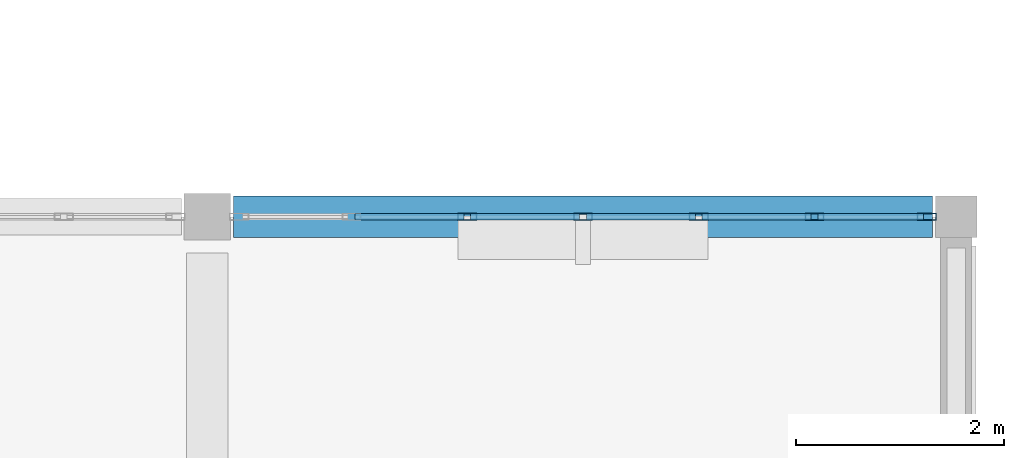
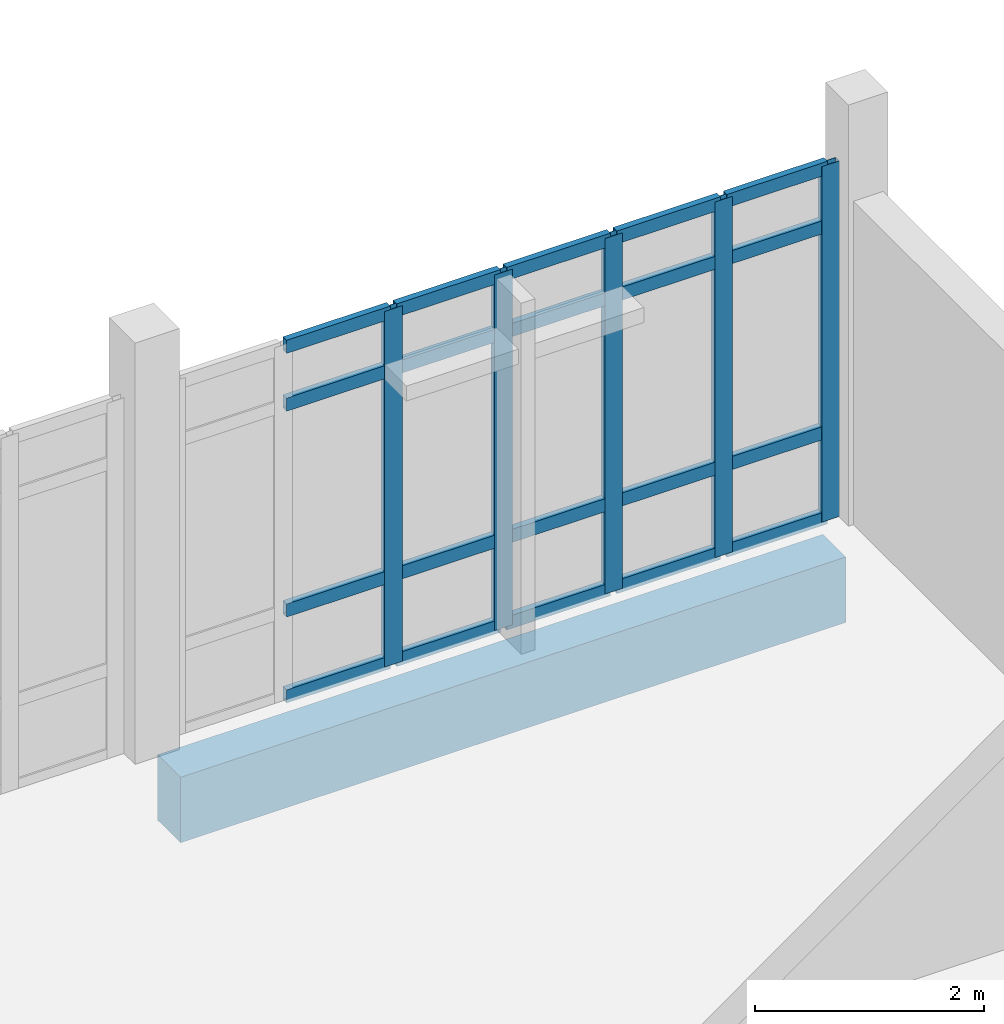
# One storey, part 53 of 116: 25 members, 1 beam, 1 element without a shape of its own.
"""IFC4 building model written with IfcOpenShell, lengths in metres."""

from ifc_helpers import new_model, si_unit, direction, frame, origin, origin_2d, place, context, subcontext, project, spatial, rectangle, hollow_rectangle, extrude, material, material_profile, profile_set, type_object, element, aggregate, save


model = new_model("IFC4")

# Units and contexts
model_context = context("Model", 3, precision=1e-05, world=origin(), true_north=direction((0.0, 1.0)))
body_context = subcontext(model_context, "Body", "Model", "MODEL_VIEW")
ifc_project = project(units=[si_unit("LENGTHUNIT", "METRE"), si_unit("AREAUNIT", "SQUARE_METRE"), si_unit("VOLUMEUNIT", "CUBIC_METRE"), si_unit("PLANEANGLEUNIT", "RADIAN"), si_unit("MASSUNIT", "GRAM", prefix="KILO")], contexts=[model_context])

# Site, building, storey
site_placement = place(None, origin())
site = spatial("IfcSite", under=ifc_project, at=site_placement, CompositionType="ELEMENT")
building_placement = place(site_placement, origin())
building = spatial("IfcBuilding", under=site, at=building_placement, Name="Kalluvel Institute of Natural Sciences", CompositionType="ELEMENT")
storey_placement = place(building_placement, frame((0.0, 0.0, 14.39990234375)))
storey = spatial("IfcBuildingStorey", under=building, at=storey_placement, Name="L03", CompositionType="ELEMENT", Elevation=14.39990234375)

# Curtain wall, members
ifc_material_1 = material(Name="Aluminium AW-6063 T6", Category="aluminium")
curtain_wall_type = type_object("IfcCurtainWallType", Name="CW-SPAV-45", PredefinedType="USERDEFINED", material=ifc_material_1)
curtain_wall_placement = place(storey_placement, origin())
curtain_wall = element("IfcCurtainWall", 1, at=curtain_wall_placement, inside=storey, type_object=curtain_wall_type, Name="L03 Gothic lancet curtain wall CWA-L03-X1079-Y356", ObjectType="UNITISED LANCET FACADE", PredefinedType="USERDEFINED")
ifc_material_profile_1 = material_profile(ifc_material_1, hollow_rectangle(XDim=0.06494140625, YDim=0.179931640625, WallThickness=0.00439453125, at=origin_2d()), Name="CWM 65x180")
ifc_profile_set_1 = profile_set([ifc_material_profile_1], Name="Aluminium AW-6063 T6")
member_type_1 = type_object("IfcMemberType", Name="CWM-65x180", PredefinedType="MULLION", material=ifc_profile_set_1)
member_1_placement = place(storey_placement, frame((110.10009765625, 35.60009765625, 0.0), z_axis=(0.0, 0.0, 1.0), x_axis=(0.0, 1.0, 0.0)))
member_1 = element("IfcMember", 2, at=member_1_placement, type_object=member_type_1, Name="CW-10 mullion 3", PredefinedType="MULLION", context=body_context, shape_type="SweptSolid", body=[
    extrude(hollow_rectangle(XDim=0.06494140625, YDim=0.179931640625, WallThickness=0.00439453125, at=origin_2d()), origin(), (0.0, 0.0, 1.0), 3.800048828125),
])
member_2_placement = place(storey_placement, frame((111.21240234375, 35.60009765625, 0.0), z_axis=(0.0, 0.0, 1.0), x_axis=(0.0, 1.0, 0.0)))
member_2 = element("IfcMember", 3, at=member_2_placement, type_object=member_type_1, Name="CW-10 mullion 4", PredefinedType="MULLION", context=body_context, shape_type="SweptSolid", body=[
    extrude(hollow_rectangle(XDim=0.06494140625, YDim=0.179931640625, WallThickness=0.00439453125, at=origin_2d()), origin(), (0.0, 0.0, 1.0), 3.800048828125),
])
member_3_placement = place(storey_placement, frame((112.324951171875, 35.60009765625, 0.0), z_axis=(0.0, 0.0, 1.0), x_axis=(0.0, 1.0, 0.0)))
member_3 = element("IfcMember", 4, at=member_3_placement, type_object=member_type_1, Name="CW-10 mullion 5", PredefinedType="MULLION", context=body_context, shape_type="SweptSolid", body=[
    extrude(hollow_rectangle(XDim=0.06494140625, YDim=0.179931640625, WallThickness=0.00439453125, at=origin_2d()), origin(), (0.0, 0.0, 1.0), 3.800048828125),
])
member_4_placement = place(storey_placement, frame((113.4375, 35.60009765625, 0.0), z_axis=(0.0, 0.0, 1.0), x_axis=(0.0, 1.0, 0.0)))
member_4 = element("IfcMember", 5, at=member_4_placement, type_object=member_type_1, Name="CW-10 mullion 6", PredefinedType="MULLION", context=body_context, shape_type="SweptSolid", body=[
    extrude(hollow_rectangle(XDim=0.06494140625, YDim=0.179931640625, WallThickness=0.00439453125, at=origin_2d()), origin(), (0.0, 0.0, 1.0), 3.800048828125),
])
member_5_placement = place(storey_placement, frame((114.517578125, 35.60009765625, 0.0), z_axis=(0.0, 0.0, 1.0), x_axis=(0.0, 1.0, 0.0)))
member_5 = element("IfcMember", 6, at=member_5_placement, type_object=member_type_1, Name="CW-10 mullion 7", PredefinedType="MULLION", context=body_context, shape_type="SweptSolid", body=[
    extrude(hollow_rectangle(XDim=0.06494140625, YDim=0.179931640625, WallThickness=0.00439453125, at=origin_2d()), origin(), (0.0, 0.0, 1.0), 3.800048828125),
])
ifc_material_profile_2 = material_profile(ifc_material_1, hollow_rectangle(XDim=0.06494140625, YDim=0.139892578125, WallThickness=0.00439453125, at=origin_2d()), Name="CWT 65x140")
ifc_profile_set_2 = profile_set([ifc_material_profile_2], Name="Aluminium AW-6063 T6")
member_type_2 = type_object("IfcMemberType", Name="CWT-65x140", PredefinedType="USERDEFINED", material=ifc_profile_set_2)
member_6_placement = place(storey_placement, frame((109.02001953125, 35.60009765625, 0.03271484375), z_axis=(1.0, 0.0, 0.0), x_axis=(0.0, 1.0, 0.0)))
member_6 = element("IfcMember", 7, at=member_6_placement, type_object=member_type_2, Name="CW-10 transom 2.1", ObjectType="TRANSOM", PredefinedType="USERDEFINED", context=body_context, shape_type="SweptSolid", body=[
    extrude(hollow_rectangle(XDim=0.06494140625, YDim=0.139892578125, WallThickness=0.00439453125, at=origin_2d()), origin(), (0.0, 0.0, 1.0), 1.04736328125),
])
member_7_placement = place(storey_placement, frame((109.02001953125, 35.60009765625, 0.9501953125), z_axis=(1.0, 0.0, 0.0), x_axis=(0.0, 1.0, 0.0)))
member_7 = element("IfcMember", 8, at=member_7_placement, type_object=member_type_2, Name="CW-10 transom 2.2", ObjectType="TRANSOM", PredefinedType="USERDEFINED", context=body_context, shape_type="SweptSolid", body=[
    extrude(hollow_rectangle(XDim=0.06494140625, YDim=0.139892578125, WallThickness=0.00439453125, at=origin_2d()), origin(), (0.0, 0.0, 1.0), 1.04736328125),
])
member_8_placement = place(storey_placement, frame((109.02001953125, 35.60009765625, 3.150146484375), z_axis=(1.0, 0.0, 0.0), x_axis=(0.0, 1.0, 0.0)))
member_8 = element("IfcMember", 9, at=member_8_placement, type_object=member_type_2, Name="CW-10 transom 2.3", ObjectType="TRANSOM", PredefinedType="USERDEFINED", context=body_context, shape_type="SweptSolid", body=[
    extrude(hollow_rectangle(XDim=0.06494140625, YDim=0.139892578125, WallThickness=0.00439453125, at=origin_2d()), origin(), (0.0, 0.0, 1.0), 1.04736328125),
])
member_9_placement = place(storey_placement, frame((109.02001953125, 35.60009765625, 3.767578125), z_axis=(1.0, 0.0, 0.0), x_axis=(0.0, 1.0, 0.0)))
member_9 = element("IfcMember", 10, at=member_9_placement, type_object=member_type_2, Name="CW-10 transom 2.4", ObjectType="TRANSOM", PredefinedType="USERDEFINED", context=body_context, shape_type="SweptSolid", body=[
    extrude(hollow_rectangle(XDim=0.06494140625, YDim=0.139892578125, WallThickness=0.00439453125, at=origin_2d()), origin(), (0.0, 0.0, 1.0), 1.04736328125),
])
member_10_placement = place(storey_placement, frame((110.132568359375, 35.60009765625, 0.03271484375), z_axis=(1.0, 0.0, 0.0), x_axis=(0.0, 1.0, 0.0)))
member_10 = element("IfcMember", 11, at=member_10_placement, type_object=member_type_2, Name="CW-10 transom 3.1", ObjectType="TRANSOM", PredefinedType="USERDEFINED", context=body_context, shape_type="SweptSolid", body=[
    extrude(hollow_rectangle(XDim=0.06494140625, YDim=0.139892578125, WallThickness=0.00439453125, at=origin_2d()), origin(), (0.0, 0.0, 1.0), 1.04736328125),
])
member_11_placement = place(storey_placement, frame((110.132568359375, 35.60009765625, 0.9501953125), z_axis=(1.0, 0.0, 0.0), x_axis=(0.0, 1.0, 0.0)))
member_11 = element("IfcMember", 12, at=member_11_placement, type_object=member_type_2, Name="CW-10 transom 3.2", ObjectType="TRANSOM", PredefinedType="USERDEFINED", context=body_context, shape_type="SweptSolid", body=[
    extrude(hollow_rectangle(XDim=0.06494140625, YDim=0.139892578125, WallThickness=0.00439453125, at=origin_2d()), origin(), (0.0, 0.0, 1.0), 1.04736328125),
])
member_12_placement = place(storey_placement, frame((110.132568359375, 35.60009765625, 3.150146484375), z_axis=(1.0, 0.0, 0.0), x_axis=(0.0, 1.0, 0.0)))
member_12 = element("IfcMember", 13, at=member_12_placement, type_object=member_type_2, Name="CW-10 transom 3.3", ObjectType="TRANSOM", PredefinedType="USERDEFINED", context=body_context, shape_type="SweptSolid", body=[
    extrude(hollow_rectangle(XDim=0.06494140625, YDim=0.139892578125, WallThickness=0.00439453125, at=origin_2d()), origin(), (0.0, 0.0, 1.0), 1.04736328125),
])
member_13_placement = place(storey_placement, frame((110.132568359375, 35.60009765625, 3.767578125), z_axis=(1.0, 0.0, 0.0), x_axis=(0.0, 1.0, 0.0)))
member_13 = element("IfcMember", 14, at=member_13_placement, type_object=member_type_2, Name="CW-10 transom 3.4", ObjectType="TRANSOM", PredefinedType="USERDEFINED", context=body_context, shape_type="SweptSolid", body=[
    extrude(hollow_rectangle(XDim=0.06494140625, YDim=0.139892578125, WallThickness=0.00439453125, at=origin_2d()), origin(), (0.0, 0.0, 1.0), 1.04736328125),
])
member_14_placement = place(storey_placement, frame((111.2451171875, 35.60009765625, 0.03271484375), z_axis=(1.0, 0.0, 0.0), x_axis=(0.0, 1.0, 0.0)))
member_14 = element("IfcMember", 15, at=member_14_placement, type_object=member_type_2, Name="CW-10 transom 4.1", ObjectType="TRANSOM", PredefinedType="USERDEFINED", context=body_context, shape_type="SweptSolid", body=[
    extrude(hollow_rectangle(XDim=0.06494140625, YDim=0.139892578125, WallThickness=0.00439453125, at=origin_2d()), origin(), (0.0, 0.0, 1.0), 1.04736328125),
])
member_15_placement = place(storey_placement, frame((111.2451171875, 35.60009765625, 0.9501953125), z_axis=(1.0, 0.0, 0.0), x_axis=(0.0, 1.0, 0.0)))
member_15 = element("IfcMember", 16, at=member_15_placement, type_object=member_type_2, Name="CW-10 transom 4.2", ObjectType="TRANSOM", PredefinedType="USERDEFINED", context=body_context, shape_type="SweptSolid", body=[
    extrude(hollow_rectangle(XDim=0.06494140625, YDim=0.139892578125, WallThickness=0.00439453125, at=origin_2d()), origin(), (0.0, 0.0, 1.0), 1.04736328125),
])
member_16_placement = place(storey_placement, frame((111.2451171875, 35.60009765625, 3.150146484375), z_axis=(1.0, 0.0, 0.0), x_axis=(0.0, 1.0, 0.0)))
member_16 = element("IfcMember", 17, at=member_16_placement, type_object=member_type_2, Name="CW-10 transom 4.3", ObjectType="TRANSOM", PredefinedType="USERDEFINED", context=body_context, shape_type="SweptSolid", body=[
    extrude(hollow_rectangle(XDim=0.06494140625, YDim=0.139892578125, WallThickness=0.00439453125, at=origin_2d()), origin(), (0.0, 0.0, 1.0), 1.04736328125),
])
member_17_placement = place(storey_placement, frame((111.2451171875, 35.60009765625, 3.767578125), z_axis=(1.0, 0.0, 0.0), x_axis=(0.0, 1.0, 0.0)))
member_17 = element("IfcMember", 18, at=member_17_placement, type_object=member_type_2, Name="CW-10 transom 4.4", ObjectType="TRANSOM", PredefinedType="USERDEFINED", context=body_context, shape_type="SweptSolid", body=[
    extrude(hollow_rectangle(XDim=0.06494140625, YDim=0.139892578125, WallThickness=0.00439453125, at=origin_2d()), origin(), (0.0, 0.0, 1.0), 1.04736328125),
])
member_18_placement = place(storey_placement, frame((112.357421875, 35.60009765625, 0.03271484375), z_axis=(1.0, 0.0, 0.0), x_axis=(0.0, 1.0, 0.0)))
member_18 = element("IfcMember", 19, at=member_18_placement, type_object=member_type_2, Name="CW-10 transom 5.1", ObjectType="TRANSOM", PredefinedType="USERDEFINED", context=body_context, shape_type="SweptSolid", body=[
    extrude(hollow_rectangle(XDim=0.06494140625, YDim=0.139892578125, WallThickness=0.00439453125, at=origin_2d()), origin(), (0.0, 0.0, 1.0), 1.047607421875),
])
member_19_placement = place(storey_placement, frame((112.357421875, 35.60009765625, 0.9501953125), z_axis=(1.0, 0.0, 0.0), x_axis=(0.0, 1.0, 0.0)))
member_19 = element("IfcMember", 20, at=member_19_placement, type_object=member_type_2, Name="CW-10 transom 5.2", ObjectType="TRANSOM", PredefinedType="USERDEFINED", context=body_context, shape_type="SweptSolid", body=[
    extrude(hollow_rectangle(XDim=0.06494140625, YDim=0.139892578125, WallThickness=0.00439453125, at=origin_2d()), origin(), (0.0, 0.0, 1.0), 1.047607421875),
])
member_20_placement = place(storey_placement, frame((112.357421875, 35.60009765625, 3.150146484375), z_axis=(1.0, 0.0, 0.0), x_axis=(0.0, 1.0, 0.0)))
member_20 = element("IfcMember", 21, at=member_20_placement, type_object=member_type_2, Name="CW-10 transom 5.3", ObjectType="TRANSOM", PredefinedType="USERDEFINED", context=body_context, shape_type="SweptSolid", body=[
    extrude(hollow_rectangle(XDim=0.06494140625, YDim=0.139892578125, WallThickness=0.00439453125, at=origin_2d()), origin(), (0.0, 0.0, 1.0), 1.047607421875),
])
member_21_placement = place(storey_placement, frame((112.357421875, 35.60009765625, 3.767578125), z_axis=(1.0, 0.0, 0.0), x_axis=(0.0, 1.0, 0.0)))
member_21 = element("IfcMember", 22, at=member_21_placement, type_object=member_type_2, Name="CW-10 transom 5.4", ObjectType="TRANSOM", PredefinedType="USERDEFINED", context=body_context, shape_type="SweptSolid", body=[
    extrude(hollow_rectangle(XDim=0.06494140625, YDim=0.139892578125, WallThickness=0.00439453125, at=origin_2d()), origin(), (0.0, 0.0, 1.0), 1.047607421875),
])
member_22_placement = place(storey_placement, frame((113.469970703125, 35.60009765625, 0.03271484375), z_axis=(1.0, 0.0, 0.0), x_axis=(0.0, 1.0, 0.0)))
member_22 = element("IfcMember", 23, at=member_22_placement, type_object=member_type_2, Name="CW-10 transom 6.1", ObjectType="TRANSOM", PredefinedType="USERDEFINED", context=body_context, shape_type="SweptSolid", body=[
    extrude(hollow_rectangle(XDim=0.06494140625, YDim=0.139892578125, WallThickness=0.00439453125, at=origin_2d()), origin(), (0.0, 0.0, 1.0), 1.01513671875),
])
member_23_placement = place(storey_placement, frame((113.469970703125, 35.60009765625, 0.9501953125), z_axis=(1.0, 0.0, 0.0), x_axis=(0.0, 1.0, 0.0)))
member_23 = element("IfcMember", 24, at=member_23_placement, type_object=member_type_2, Name="CW-10 transom 6.2", ObjectType="TRANSOM", PredefinedType="USERDEFINED", context=body_context, shape_type="SweptSolid", body=[
    extrude(hollow_rectangle(XDim=0.06494140625, YDim=0.139892578125, WallThickness=0.00439453125, at=origin_2d()), origin(), (0.0, 0.0, 1.0), 1.01513671875),
])
member_24_placement = place(storey_placement, frame((113.469970703125, 35.60009765625, 3.150146484375), z_axis=(1.0, 0.0, 0.0), x_axis=(0.0, 1.0, 0.0)))
member_24 = element("IfcMember", 25, at=member_24_placement, type_object=member_type_2, Name="CW-10 transom 6.3", ObjectType="TRANSOM", PredefinedType="USERDEFINED", context=body_context, shape_type="SweptSolid", body=[
    extrude(hollow_rectangle(XDim=0.06494140625, YDim=0.139892578125, WallThickness=0.00439453125, at=origin_2d()), origin(), (0.0, 0.0, 1.0), 1.01513671875),
])
member_25_placement = place(storey_placement, frame((113.469970703125, 35.60009765625, 3.767578125), z_axis=(1.0, 0.0, 0.0), x_axis=(0.0, 1.0, 0.0)))
member_25 = element("IfcMember", 26, at=member_25_placement, type_object=member_type_2, Name="CW-10 transom 6.4", ObjectType="TRANSOM", PredefinedType="USERDEFINED", context=body_context, shape_type="SweptSolid", body=[
    extrude(hollow_rectangle(XDim=0.06494140625, YDim=0.139892578125, WallThickness=0.00439453125, at=origin_2d()), origin(), (0.0, 0.0, 1.0), 1.01513671875),
])
aggregate(curtain_wall, [member_1, member_2, member_3, member_4, member_5, member_6, member_7, member_8, member_9, member_10, member_11, member_12, member_13, member_14, member_15, member_16, member_17, member_18, member_19, member_20, member_21, member_22, member_23, member_24, member_25])

# Beam
ifc_material_2 = material(Name="Concrete M40", Category="concrete")
ifc_material_profile_3 = material_profile(ifc_material_2, rectangle(XDim=0.39990234375, YDim=0.699951171875, at=origin_2d()), Name="RCB 400x700")
ifc_profile_set_3 = profile_set([ifc_material_profile_3], Name="Concrete M40")
beam_type = type_object("IfcBeamType", Name="SP-RC400x700", PredefinedType="SPANDREL", material=ifc_profile_set_3)
beam_placement = place(storey_placement, frame((107.85009765625, 35.60009765625, -0.669921875), z_axis=(1.0, 0.0, 0.0), x_axis=(0.0, 1.0, 0.0)))
element("IfcBeam", 27, at=beam_placement, inside=storey, type_object=beam_type, Name="L03 girder GIR-L03-EW-X1076-Y356", PredefinedType="SPANDREL", context=body_context, shape_type="SweptSolid", body=[
    extrude(rectangle(XDim=0.39990234375, YDim=0.699951171875, at=origin_2d()), origin(), (0.0, 0.0, 1.0), 6.724853515625),
])

save(model, "model.ifc")
